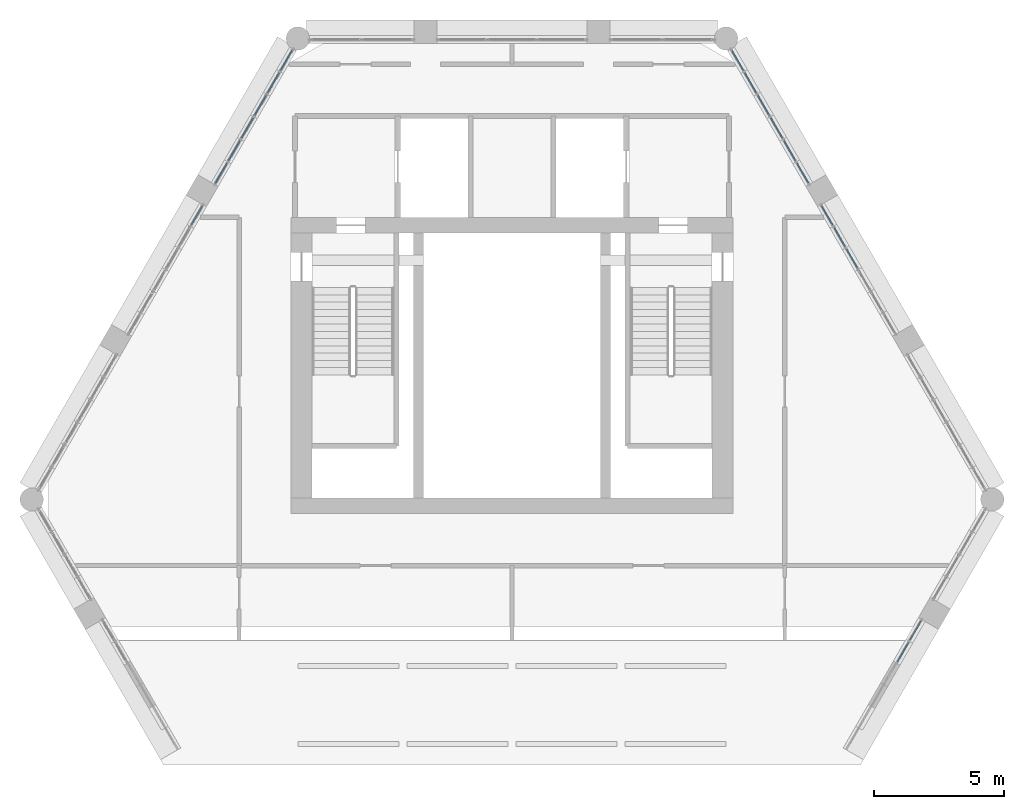
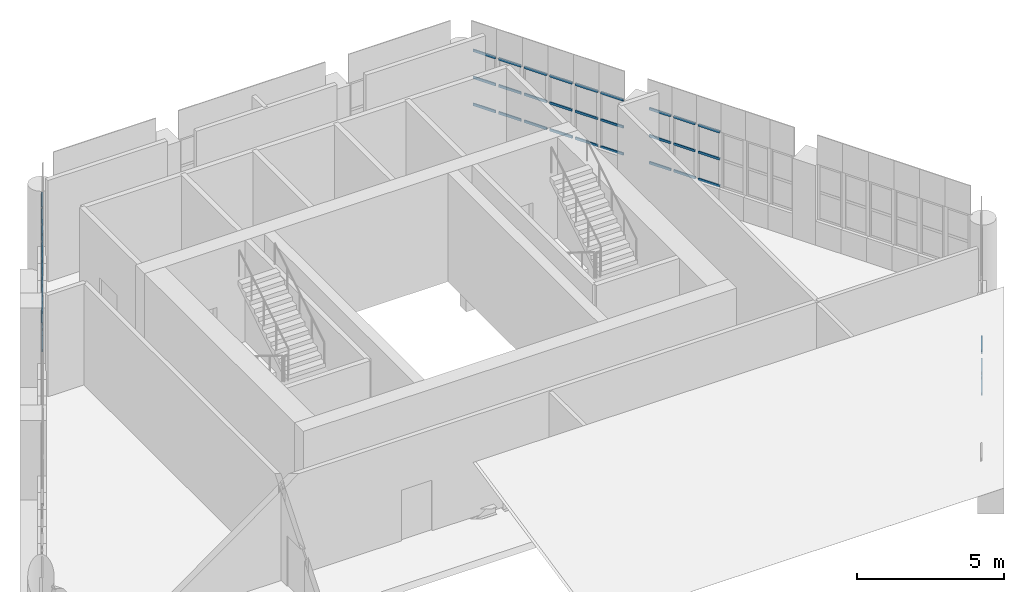
# One storey, part 14 of 23: 52 members, 18 elements without a shape of their own.
"""IFC4 building model written with IfcOpenShell, lengths in metres."""

from ifc_helpers import new_model, si_unit, direction, frame, origin, origin_2d, place, context, subcontext, project, spatial, hollow_rectangle, extrude, material, material_profile, profile_set, type_object, element, aggregate, save


model = new_model("IFC4")

# Units and contexts
model_context = context("Model", 3, precision=1e-05, world=origin(), true_north=direction((0.0, 1.0)))
body_context = subcontext(model_context, "Body", "Model", "MODEL_VIEW")
ifc_project = project(units=[si_unit("LENGTHUNIT", "METRE"), si_unit("AREAUNIT", "SQUARE_METRE"), si_unit("VOLUMEUNIT", "CUBIC_METRE"), si_unit("PLANEANGLEUNIT", "RADIAN"), si_unit("MASSUNIT", "GRAM", prefix="KILO")], contexts=[model_context])

# Site, building, storey
site_placement = place(None, origin())
site = spatial("IfcSite", under=ifc_project, at=site_placement, CompositionType="ELEMENT")
building_placement = place(site_placement, origin())
building = spatial("IfcBuilding", under=site, at=building_placement, Name="Ostrander Bayou Hotel Tower", CompositionType="ELEMENT")
storey_placement = place(building_placement, frame((0.0, 0.0, 279.5)))
storey = spatial("IfcBuildingStorey", under=building, at=storey_placement, Name="L69", CompositionType="ELEMENT", Elevation=279.5)

# Curtain wall, members
ifc_material_1 = material(Name="Aluminium and clear glass", Category="aluminium")
curtain_wall_type = type_object("IfcCurtainWallType", Name="CW-CROWN glazed wall", PredefinedType="NOTDEFINED", material=ifc_material_1)
curtain_wall_1_placement = place(storey_placement, origin())
curtain_wall_1 = element("IfcCurtainWall", 1, at=curtain_wall_1_placement, inside=storey, type_object=curtain_wall_type, Name="CW-CROWN L69:NW-1-1", PredefinedType="NOTDEFINED")
ifc_material_2 = material(Name="Aluminium", Category="aluminium")
ifc_material_profile = material_profile(ifc_material_2, hollow_rectangle(XDim=0.050048828125, YDim=0.10009765625, WallThickness=0.00390625, at=origin_2d()))
ifc_profile_set = profile_set([ifc_material_profile], Name="Aluminium")
member_type = type_object("IfcMemberType", Name="CW-CR transom 50 x 100 mm", PredefinedType="USERDEFINED", material=ifc_profile_set)
member_1_placement = place(storey_placement, frame((-8.4619140625, 16.13037109375, 1.030029296875), z_axis=(-0.500033502416, -0.866006060292, 0.0), x_axis=(0.866006060292, -0.500033502416, 0.0)))
member_1 = element("IfcMember", 2, at=member_1_placement, type_object=member_type, Name="CW-CROWN transom 1.1", ObjectType="TRANSOM", PredefinedType="USERDEFINED", context=body_context, shape_type="SweptSolid", body=[
    extrude(hollow_rectangle(XDim=0.050048828125, YDim=0.10009765625, WallThickness=0.00390625, at=origin_2d()), origin(), (0.0, 0.0, 1.0), 0.88330078125),
])
member_2_placement = place(storey_placement, frame((-8.4619140625, 16.13037109375, 2.14990234375), z_axis=(-0.500033502416, -0.866006060292, 0.0), x_axis=(0.866006060292, -0.500033502416, 0.0)))
member_2 = element("IfcMember", 3, at=member_2_placement, type_object=member_type, Name="CW-CROWN transom 1.2", ObjectType="TRANSOM", PredefinedType="USERDEFINED", context=body_context, shape_type="SweptSolid", body=[
    extrude(hollow_rectangle(XDim=0.050048828125, YDim=0.10009765625, WallThickness=0.00390625, at=origin_2d()), origin(), (0.0, 0.0, 1.0), 0.88330078125),
])
member_3_placement = place(storey_placement, frame((-8.4619140625, 16.13037109375, 3.27001953125), z_axis=(-0.500033502416, -0.866006060292, 0.0), x_axis=(0.866006060292, -0.500033502416, 0.0)))
member_3 = element("IfcMember", 4, at=member_3_placement, type_object=member_type, Name="CW-CROWN transom 1.3", ObjectType="TRANSOM", PredefinedType="USERDEFINED", context=body_context, shape_type="SweptSolid", body=[
    extrude(hollow_rectangle(XDim=0.050048828125, YDim=0.10009765625, WallThickness=0.00390625, at=origin_2d()), origin(), (0.0, 0.0, 1.0), 0.88330078125),
])
aggregate(curtain_wall_1, [member_1, member_2, member_3])

curtain_wall_2_placement = place(storey_placement, origin())
curtain_wall_2 = element("IfcCurtainWall", 5, at=curtain_wall_2_placement, inside=storey, type_object=curtain_wall_type, Name="CW-CROWN L69:NW-1-2", PredefinedType="NOTDEFINED")
member_4_placement = place(storey_placement, frame((-8.963623046875, 15.26171875, 1.030029296875), z_axis=(-0.500033502416, -0.866006060292, 0.0), x_axis=(0.866006060292, -0.500033502416, 0.0)))
member_4 = element("IfcMember", 6, at=member_4_placement, type_object=member_type, Name="CW-CROWN transom 1.1", ObjectType="TRANSOM", PredefinedType="USERDEFINED", context=body_context, shape_type="SweptSolid", body=[
    extrude(hollow_rectangle(XDim=0.050048828125, YDim=0.10009765625, WallThickness=0.00390625, at=origin_2d()), origin(), (0.0, 0.0, 1.0), 0.88330078125),
])
member_5_placement = place(storey_placement, frame((-8.963623046875, 15.26171875, 2.14990234375), z_axis=(-0.500033502416, -0.866006060292, 0.0), x_axis=(0.866006060292, -0.500033502416, 0.0)))
member_5 = element("IfcMember", 7, at=member_5_placement, type_object=member_type, Name="CW-CROWN transom 1.2", ObjectType="TRANSOM", PredefinedType="USERDEFINED", context=body_context, shape_type="SweptSolid", body=[
    extrude(hollow_rectangle(XDim=0.050048828125, YDim=0.10009765625, WallThickness=0.00390625, at=origin_2d()), origin(), (0.0, 0.0, 1.0), 0.88330078125),
])
member_6_placement = place(storey_placement, frame((-8.963623046875, 15.26171875, 3.27001953125), z_axis=(-0.500033502416, -0.866006060292, 0.0), x_axis=(0.866006060292, -0.500033502416, 0.0)))
member_6 = element("IfcMember", 8, at=member_6_placement, type_object=member_type, Name="CW-CROWN transom 1.3", ObjectType="TRANSOM", PredefinedType="USERDEFINED", context=body_context, shape_type="SweptSolid", body=[
    extrude(hollow_rectangle(XDim=0.050048828125, YDim=0.10009765625, WallThickness=0.00390625, at=origin_2d()), origin(), (0.0, 0.0, 1.0), 0.88330078125),
])
aggregate(curtain_wall_2, [member_4, member_5, member_6])

curtain_wall_3_placement = place(storey_placement, origin())
curtain_wall_3 = element("IfcCurtainWall", 9, at=curtain_wall_3_placement, inside=storey, type_object=curtain_wall_type, Name="CW-CROWN L69:NW-1-3", PredefinedType="NOTDEFINED")
member_7_placement = place(storey_placement, frame((-9.465087890625, 14.392822265625, 1.030029296875), z_axis=(-0.500153222552, -0.865936922628, 0.0), x_axis=(0.865936922628, -0.500153222552, 0.0)))
member_7 = element("IfcMember", 10, at=member_7_placement, type_object=member_type, Name="CW-CROWN transom 1.1", ObjectType="TRANSOM", PredefinedType="USERDEFINED", context=body_context, shape_type="SweptSolid", body=[
    extrude(hollow_rectangle(XDim=0.050048828125, YDim=0.10009765625, WallThickness=0.00390625, at=origin_2d()), origin(), (0.0, 0.0, 1.0), 0.883056640625),
])
member_8_placement = place(storey_placement, frame((-9.465087890625, 14.392822265625, 2.14990234375), z_axis=(-0.500153222552, -0.865936922628, 0.0), x_axis=(0.865936922628, -0.500153222552, 0.0)))
member_8 = element("IfcMember", 11, at=member_8_placement, type_object=member_type, Name="CW-CROWN transom 1.2", ObjectType="TRANSOM", PredefinedType="USERDEFINED", context=body_context, shape_type="SweptSolid", body=[
    extrude(hollow_rectangle(XDim=0.050048828125, YDim=0.10009765625, WallThickness=0.00390625, at=origin_2d()), origin(), (0.0, 0.0, 1.0), 0.883056640625),
])
member_9_placement = place(storey_placement, frame((-9.465087890625, 14.392822265625, 3.27001953125), z_axis=(-0.500153222552, -0.865936922628, 0.0), x_axis=(0.865936922628, -0.500153222552, 0.0)))
member_9 = element("IfcMember", 12, at=member_9_placement, type_object=member_type, Name="CW-CROWN transom 1.3", ObjectType="TRANSOM", PredefinedType="USERDEFINED", context=body_context, shape_type="SweptSolid", body=[
    extrude(hollow_rectangle(XDim=0.050048828125, YDim=0.10009765625, WallThickness=0.00390625, at=origin_2d()), origin(), (0.0, 0.0, 1.0), 0.883056640625),
])
aggregate(curtain_wall_3, [member_7, member_8, member_9])

curtain_wall_4_placement = place(storey_placement, origin())
curtain_wall_4 = element("IfcCurtainWall", 13, at=curtain_wall_4_placement, inside=storey, type_object=curtain_wall_type, Name="CW-CROWN L69:NW-1-4", PredefinedType="NOTDEFINED")
member_10_placement = place(storey_placement, frame((-9.966796875, 13.524169921875, 1.030029296875), z_axis=(-0.499826157957, -0.866125748273, 0.0), x_axis=(0.866125748273, -0.499826157957, 0.0)))
member_10 = element("IfcMember", 14, at=member_10_placement, type_object=member_type, Name="CW-CROWN transom 1.1", ObjectType="TRANSOM", PredefinedType="USERDEFINED", context=body_context, shape_type="SweptSolid", body=[
    extrude(hollow_rectangle(XDim=0.050048828125, YDim=0.10009765625, WallThickness=0.00390625, at=origin_2d()), origin(), (0.0, 0.0, 1.0), 0.883056640625),
])
member_11_placement = place(storey_placement, frame((-9.966796875, 13.524169921875, 2.14990234375), z_axis=(-0.499826157957, -0.866125748273, 0.0), x_axis=(0.866125748273, -0.499826157957, 0.0)))
member_11 = element("IfcMember", 15, at=member_11_placement, type_object=member_type, Name="CW-CROWN transom 1.2", ObjectType="TRANSOM", PredefinedType="USERDEFINED", context=body_context, shape_type="SweptSolid", body=[
    extrude(hollow_rectangle(XDim=0.050048828125, YDim=0.10009765625, WallThickness=0.00390625, at=origin_2d()), origin(), (0.0, 0.0, 1.0), 0.883056640625),
])
member_12_placement = place(storey_placement, frame((-9.966796875, 13.524169921875, 3.27001953125), z_axis=(-0.499826157957, -0.866125748273, 0.0), x_axis=(0.866125748273, -0.499826157957, 0.0)))
member_12 = element("IfcMember", 16, at=member_12_placement, type_object=member_type, Name="CW-CROWN transom 1.3", ObjectType="TRANSOM", PredefinedType="USERDEFINED", context=body_context, shape_type="SweptSolid", body=[
    extrude(hollow_rectangle(XDim=0.050048828125, YDim=0.10009765625, WallThickness=0.00390625, at=origin_2d()), origin(), (0.0, 0.0, 1.0), 0.883056640625),
])
aggregate(curtain_wall_4, [member_10, member_11, member_12])

curtain_wall_5_placement = place(storey_placement, origin())
curtain_wall_5 = element("IfcCurtainWall", 17, at=curtain_wall_5_placement, inside=storey, type_object=curtain_wall_type, Name="CW-CROWN L69:NW-1-5", PredefinedType="NOTDEFINED")
member_13_placement = place(storey_placement, frame((-10.46826171875, 12.6552734375, 1.030029296875), z_axis=(-0.500153222552, -0.865936922628, 0.0), x_axis=(0.865936922628, -0.500153222552, 0.0)))
member_13 = element("IfcMember", 18, at=member_13_placement, type_object=member_type, Name="CW-CROWN transom 1.1", ObjectType="TRANSOM", PredefinedType="USERDEFINED", context=body_context, shape_type="SweptSolid", body=[
    extrude(hollow_rectangle(XDim=0.050048828125, YDim=0.10009765625, WallThickness=0.00390625, at=origin_2d()), origin(), (0.0, 0.0, 1.0), 0.883056640625),
])
member_14_placement = place(storey_placement, frame((-10.46826171875, 12.6552734375, 2.14990234375), z_axis=(-0.500153222552, -0.865936922628, 0.0), x_axis=(0.865936922628, -0.500153222552, 0.0)))
member_14 = element("IfcMember", 19, at=member_14_placement, type_object=member_type, Name="CW-CROWN transom 1.2", ObjectType="TRANSOM", PredefinedType="USERDEFINED", context=body_context, shape_type="SweptSolid", body=[
    extrude(hollow_rectangle(XDim=0.050048828125, YDim=0.10009765625, WallThickness=0.00390625, at=origin_2d()), origin(), (0.0, 0.0, 1.0), 0.883056640625),
])
member_15_placement = place(storey_placement, frame((-10.46826171875, 12.6552734375, 3.27001953125), z_axis=(-0.500153222552, -0.865936922628, 0.0), x_axis=(0.865936922628, -0.500153222552, 0.0)))
member_15 = element("IfcMember", 20, at=member_15_placement, type_object=member_type, Name="CW-CROWN transom 1.3", ObjectType="TRANSOM", PredefinedType="USERDEFINED", context=body_context, shape_type="SweptSolid", body=[
    extrude(hollow_rectangle(XDim=0.050048828125, YDim=0.10009765625, WallThickness=0.00390625, at=origin_2d()), origin(), (0.0, 0.0, 1.0), 0.883056640625),
])
aggregate(curtain_wall_5, [member_13, member_14, member_15])

curtain_wall_6_placement = place(storey_placement, origin())
curtain_wall_6 = element("IfcCurtainWall", 21, at=curtain_wall_6_placement, inside=storey, type_object=curtain_wall_type, Name="CW-CROWN L69:NW-1-6", PredefinedType="NOTDEFINED")
member_16_placement = place(storey_placement, frame((-10.969970703125, 11.78662109375, 1.030029296875), z_axis=(-0.500033502416, -0.866006060292, 0.0), x_axis=(0.866006060292, -0.500033502416, 0.0)))
member_16 = element("IfcMember", 22, at=member_16_placement, type_object=member_type, Name="CW-CROWN transom 1.1", ObjectType="TRANSOM", PredefinedType="USERDEFINED", context=body_context, shape_type="SweptSolid", body=[
    extrude(hollow_rectangle(XDim=0.050048828125, YDim=0.10009765625, WallThickness=0.00390625, at=origin_2d()), origin(), (0.0, 0.0, 1.0), 0.88330078125),
])
member_17_placement = place(storey_placement, frame((-10.969970703125, 11.78662109375, 2.14990234375), z_axis=(-0.500033502416, -0.866006060292, 0.0), x_axis=(0.866006060292, -0.500033502416, 0.0)))
member_17 = element("IfcMember", 23, at=member_17_placement, type_object=member_type, Name="CW-CROWN transom 1.2", ObjectType="TRANSOM", PredefinedType="USERDEFINED", context=body_context, shape_type="SweptSolid", body=[
    extrude(hollow_rectangle(XDim=0.050048828125, YDim=0.10009765625, WallThickness=0.00390625, at=origin_2d()), origin(), (0.0, 0.0, 1.0), 0.88330078125),
])
member_18_placement = place(storey_placement, frame((-10.969970703125, 11.78662109375, 3.27001953125), z_axis=(-0.500033502416, -0.866006060292, 0.0), x_axis=(0.866006060292, -0.500033502416, 0.0)))
member_18 = element("IfcMember", 24, at=member_18_placement, type_object=member_type, Name="CW-CROWN transom 1.3", ObjectType="TRANSOM", PredefinedType="USERDEFINED", context=body_context, shape_type="SweptSolid", body=[
    extrude(hollow_rectangle(XDim=0.050048828125, YDim=0.10009765625, WallThickness=0.00390625, at=origin_2d()), origin(), (0.0, 0.0, 1.0), 0.88330078125),
])
aggregate(curtain_wall_6, [member_16, member_17, member_18])

curtain_wall_7_placement = place(storey_placement, origin())
curtain_wall_7 = element("IfcCurtainWall", 25, at=curtain_wall_7_placement, inside=storey, type_object=curtain_wall_type, Name="CW-CROWN L69:NW-2-1", PredefinedType="NOTDEFINED")
member_19_placement = place(storey_placement, frame((-11.92138671875, 10.138427734375, 2.14990234375), z_axis=(-0.500016035621, -0.866016145416, 0.0), x_axis=(0.866016145416, -0.500016035621, 0.0)))
member_19 = element("IfcMember", 26, at=member_19_placement, type_object=member_type, Name="CW-CROWN transom 1.2", ObjectType="TRANSOM", PredefinedType="USERDEFINED", context=body_context, shape_type="SweptSolid", body=[
    extrude(hollow_rectangle(XDim=0.050048828125, YDim=0.10009765625, WallThickness=0.00390625, at=origin_2d()), origin(), (0.0, 0.0, 1.0), 0.83984375),
])
member_20_placement = place(storey_placement, frame((-11.92138671875, 10.138427734375, 3.27001953125), z_axis=(-0.500016035621, -0.866016145416, 0.0), x_axis=(0.866016145416, -0.500016035621, 0.0)))
member_20 = element("IfcMember", 27, at=member_20_placement, type_object=member_type, Name="CW-CROWN transom 1.3", ObjectType="TRANSOM", PredefinedType="USERDEFINED", context=body_context, shape_type="SweptSolid", body=[
    extrude(hollow_rectangle(XDim=0.050048828125, YDim=0.10009765625, WallThickness=0.00390625, at=origin_2d()), origin(), (0.0, 0.0, 1.0), 0.83984375),
])
aggregate(curtain_wall_7, [member_19, member_20])

curtain_wall_8_placement = place(storey_placement, origin())
curtain_wall_8 = element("IfcCurtainWall", 28, at=curtain_wall_8_placement, inside=storey, type_object=curtain_wall_type, Name="CW-CROWN L69:SE-2-5", PredefinedType="NOTDEFINED")
member_21_placement = place(storey_placement, frame((14.837646484375, -7.400634765625, 1.030029296875), z_axis=(0.499930913282, 0.866065287345, 0.0), x_axis=(-0.866065287345, 0.499930913282, 0.0)))
member_21 = element("IfcMember", 29, at=member_21_placement, type_object=member_type, Name="CW-CROWN transom 1.1", ObjectType="TRANSOM", PredefinedType="USERDEFINED", context=body_context, shape_type="SweptSolid", body=[
    extrude(hollow_rectangle(XDim=0.050048828125, YDim=0.10009765625, WallThickness=0.00390625, at=origin_2d()), origin(), (0.0, 0.0, 1.0), 0.8447265625),
])
member_22_placement = place(storey_placement, frame((14.837646484375, -7.400634765625, 1.89306640625), z_axis=(0.499930913282, 0.866065287345, 0.0), x_axis=(-0.866065287345, 0.499930913282, 0.0)))
member_22 = element("IfcMember", 30, at=member_22_placement, type_object=member_type, Name="CW-CROWN transom 1.2", ObjectType="TRANSOM", PredefinedType="USERDEFINED", context=body_context, shape_type="SweptSolid", body=[
    extrude(hollow_rectangle(XDim=0.050048828125, YDim=0.10009765625, WallThickness=0.00390625, at=origin_2d()), origin(), (0.0, 0.0, 1.0), 0.8447265625),
])
member_23_placement = place(storey_placement, frame((14.837646484375, -7.400634765625, 2.756103515625), z_axis=(0.499930913282, 0.866065287345, 0.0), x_axis=(-0.866065287345, 0.499930913282, 0.0)))
member_23 = element("IfcMember", 31, at=member_23_placement, type_object=member_type, Name="CW-CROWN transom 1.3", ObjectType="TRANSOM", PredefinedType="USERDEFINED", context=body_context, shape_type="SweptSolid", body=[
    extrude(hollow_rectangle(XDim=0.050048828125, YDim=0.10009765625, WallThickness=0.00390625, at=origin_2d()), origin(), (0.0, 0.0, 1.0), 0.8447265625),
])
aggregate(curtain_wall_8, [member_21, member_22, member_23])

curtain_wall_9_placement = place(storey_placement, origin())
curtain_wall_9 = element("IfcCurtainWall", 32, at=curtain_wall_9_placement, inside=storey, type_object=curtain_wall_type, Name="CW-CROWN L69:SE-2-6", PredefinedType="NOTDEFINED")
member_24_placement = place(storey_placement, frame((15.320068359375, -6.56494140625, 1.030029296875), z_axis=(0.499930913282, 0.866065287345, 0.0), x_axis=(-0.866065287345, 0.499930913282, 0.0)))
member_24 = element("IfcMember", 33, at=member_24_placement, type_object=member_type, Name="CW-CROWN transom 1.1", ObjectType="TRANSOM", PredefinedType="USERDEFINED", context=body_context, shape_type="SweptSolid", body=[
    extrude(hollow_rectangle(XDim=0.050048828125, YDim=0.10009765625, WallThickness=0.00390625, at=origin_2d()), origin(), (0.0, 0.0, 1.0), 0.8447265625),
])
member_25_placement = place(storey_placement, frame((15.320068359375, -6.56494140625, 2.14990234375), z_axis=(0.499930913282, 0.866065287345, 0.0), x_axis=(-0.866065287345, 0.499930913282, 0.0)))
member_25 = element("IfcMember", 34, at=member_25_placement, type_object=member_type, Name="CW-CROWN transom 1.2", ObjectType="TRANSOM", PredefinedType="USERDEFINED", context=body_context, shape_type="SweptSolid", body=[
    extrude(hollow_rectangle(XDim=0.050048828125, YDim=0.10009765625, WallThickness=0.00390625, at=origin_2d()), origin(), (0.0, 0.0, 1.0), 0.8447265625),
])
aggregate(curtain_wall_9, [member_24, member_25])

curtain_wall_10_placement = place(storey_placement, origin())
curtain_wall_10 = element("IfcCurtainWall", 35, at=curtain_wall_10_placement, inside=storey, type_object=curtain_wall_type, Name="CW-CROWN L69:NE-2-4", PredefinedType="NOTDEFINED")
member_26_placement = place(storey_placement, frame((13.30126953125, 7.748779296875, 1.030029296875), z_axis=(-0.500016035621, 0.866016145416, 0.0), x_axis=(-0.866016145416, -0.500016035621, 0.0)))
member_26 = element("IfcMember", 36, at=member_26_placement, type_object=member_type, Name="CW-CROWN transom 1.1", ObjectType="TRANSOM", PredefinedType="USERDEFINED", context=body_context, shape_type="SweptSolid", body=[
    extrude(hollow_rectangle(XDim=0.050048828125, YDim=0.10009765625, WallThickness=0.00390625, at=origin_2d()), origin(), (0.0, 0.0, 1.0), 0.83984375),
])
member_27_placement = place(storey_placement, frame((13.30126953125, 7.748779296875, 2.14990234375), z_axis=(-0.500016035621, 0.866016145416, 0.0), x_axis=(-0.866016145416, -0.500016035621, 0.0)))
member_27 = element("IfcMember", 37, at=member_27_placement, type_object=member_type, Name="CW-CROWN transom 1.2", ObjectType="TRANSOM", PredefinedType="USERDEFINED", context=body_context, shape_type="SweptSolid", body=[
    extrude(hollow_rectangle(XDim=0.050048828125, YDim=0.10009765625, WallThickness=0.00390625, at=origin_2d()), origin(), (0.0, 0.0, 1.0), 0.83984375),
])
member_28_placement = place(storey_placement, frame((13.30126953125, 7.748779296875, 3.27001953125), z_axis=(-0.500016035621, 0.866016145416, 0.0), x_axis=(-0.866016145416, -0.500016035621, 0.0)))
member_28 = element("IfcMember", 38, at=member_28_placement, type_object=member_type, Name="CW-CROWN transom 1.3", ObjectType="TRANSOM", PredefinedType="USERDEFINED", context=body_context, shape_type="SweptSolid", body=[
    extrude(hollow_rectangle(XDim=0.050048828125, YDim=0.10009765625, WallThickness=0.00390625, at=origin_2d()), origin(), (0.0, 0.0, 1.0), 0.83984375),
])
aggregate(curtain_wall_10, [member_26, member_27, member_28])

curtain_wall_11_placement = place(storey_placement, origin())
curtain_wall_11 = element("IfcCurtainWall", 39, at=curtain_wall_11_placement, inside=storey, type_object=curtain_wall_type, Name="CW-CROWN L69:NE-2-5", PredefinedType="NOTDEFINED")
member_29_placement = place(storey_placement, frame((12.8212890625, 8.580078125, 1.030029296875), z_axis=(-0.500141944548, 0.86594343655, 0.0), x_axis=(-0.86594343655, -0.500141944548, 0.0)))
member_29 = element("IfcMember", 40, at=member_29_placement, type_object=member_type, Name="CW-CROWN transom 1.1", ObjectType="TRANSOM", PredefinedType="USERDEFINED", context=body_context, shape_type="SweptSolid", body=[
    extrude(hollow_rectangle(XDim=0.050048828125, YDim=0.10009765625, WallThickness=0.00390625, at=origin_2d()), origin(), (0.0, 0.0, 1.0), 0.839599609375),
])
member_30_placement = place(storey_placement, frame((12.8212890625, 8.580078125, 2.14990234375), z_axis=(-0.500141944548, 0.86594343655, 0.0), x_axis=(-0.86594343655, -0.500141944548, 0.0)))
member_30 = element("IfcMember", 41, at=member_30_placement, type_object=member_type, Name="CW-CROWN transom 1.2", ObjectType="TRANSOM", PredefinedType="USERDEFINED", context=body_context, shape_type="SweptSolid", body=[
    extrude(hollow_rectangle(XDim=0.050048828125, YDim=0.10009765625, WallThickness=0.00390625, at=origin_2d()), origin(), (0.0, 0.0, 1.0), 0.839599609375),
])
member_31_placement = place(storey_placement, frame((12.8212890625, 8.580078125, 3.27001953125), z_axis=(-0.500141944548, 0.86594343655, 0.0), x_axis=(-0.86594343655, -0.500141944548, 0.0)))
member_31 = element("IfcMember", 42, at=member_31_placement, type_object=member_type, Name="CW-CROWN transom 1.3", ObjectType="TRANSOM", PredefinedType="USERDEFINED", context=body_context, shape_type="SweptSolid", body=[
    extrude(hollow_rectangle(XDim=0.050048828125, YDim=0.10009765625, WallThickness=0.00390625, at=origin_2d()), origin(), (0.0, 0.0, 1.0), 0.839599609375),
])
aggregate(curtain_wall_11, [member_29, member_30, member_31])

curtain_wall_12_placement = place(storey_placement, origin())
curtain_wall_12 = element("IfcCurtainWall", 43, at=curtain_wall_12_placement, inside=storey, type_object=curtain_wall_type, Name="CW-CROWN L69:NE-2-6", PredefinedType="NOTDEFINED")
member_32_placement = place(storey_placement, frame((12.34130859375, 9.4111328125, 1.030029296875), z_axis=(-0.500016035621, 0.866016145416, 0.0), x_axis=(-0.866016145416, -0.500016035621, 0.0)))
member_32 = element("IfcMember", 44, at=member_32_placement, type_object=member_type, Name="CW-CROWN transom 1.1", ObjectType="TRANSOM", PredefinedType="USERDEFINED", context=body_context, shape_type="SweptSolid", body=[
    extrude(hollow_rectangle(XDim=0.050048828125, YDim=0.10009765625, WallThickness=0.00390625, at=origin_2d()), origin(), (0.0, 0.0, 1.0), 0.83984375),
])
member_33_placement = place(storey_placement, frame((12.34130859375, 9.4111328125, 2.14990234375), z_axis=(-0.500016035621, 0.866016145416, 0.0), x_axis=(-0.866016145416, -0.500016035621, 0.0)))
member_33 = element("IfcMember", 45, at=member_33_placement, type_object=member_type, Name="CW-CROWN transom 1.2", ObjectType="TRANSOM", PredefinedType="USERDEFINED", context=body_context, shape_type="SweptSolid", body=[
    extrude(hollow_rectangle(XDim=0.050048828125, YDim=0.10009765625, WallThickness=0.00390625, at=origin_2d()), origin(), (0.0, 0.0, 1.0), 0.83984375),
])
member_34_placement = place(storey_placement, frame((12.34130859375, 9.4111328125, 3.27001953125), z_axis=(-0.500016035621, 0.866016145416, 0.0), x_axis=(-0.866016145416, -0.500016035621, 0.0)))
member_34 = element("IfcMember", 46, at=member_34_placement, type_object=member_type, Name="CW-CROWN transom 1.3", ObjectType="TRANSOM", PredefinedType="USERDEFINED", context=body_context, shape_type="SweptSolid", body=[
    extrude(hollow_rectangle(XDim=0.050048828125, YDim=0.10009765625, WallThickness=0.00390625, at=origin_2d()), origin(), (0.0, 0.0, 1.0), 0.83984375),
])
aggregate(curtain_wall_12, [member_32, member_33, member_34])

curtain_wall_13_placement = place(storey_placement, origin())
curtain_wall_13 = element("IfcCurtainWall", 47, at=curtain_wall_13_placement, inside=storey, type_object=curtain_wall_type, Name="CW-CROWN L69:NE-3-1", PredefinedType="NOTDEFINED")
member_35_placement = place(storey_placement, frame((11.41162109375, 11.021728515625, 1.030029296875), z_axis=(-0.500033502416, 0.866006060292, 0.0), x_axis=(-0.866006060292, -0.500033502416, 0.0)))
member_35 = element("IfcMember", 48, at=member_35_placement, type_object=member_type, Name="CW-CROWN transom 1.1", ObjectType="TRANSOM", PredefinedType="USERDEFINED", context=body_context, shape_type="SweptSolid", body=[
    extrude(hollow_rectangle(XDim=0.050048828125, YDim=0.10009765625, WallThickness=0.00390625, at=origin_2d()), origin(), (0.0, 0.0, 1.0), 0.88330078125),
])
member_36_placement = place(storey_placement, frame((11.41162109375, 11.021728515625, 2.14990234375), z_axis=(-0.500033502416, 0.866006060292, 0.0), x_axis=(-0.866006060292, -0.500033502416, 0.0)))
member_36 = element("IfcMember", 49, at=member_36_placement, type_object=member_type, Name="CW-CROWN transom 1.2", ObjectType="TRANSOM", PredefinedType="USERDEFINED", context=body_context, shape_type="SweptSolid", body=[
    extrude(hollow_rectangle(XDim=0.050048828125, YDim=0.10009765625, WallThickness=0.00390625, at=origin_2d()), origin(), (0.0, 0.0, 1.0), 0.88330078125),
])
member_37_placement = place(storey_placement, frame((11.41162109375, 11.021728515625, 3.27001953125), z_axis=(-0.500033502416, 0.866006060292, 0.0), x_axis=(-0.866006060292, -0.500033502416, 0.0)))
member_37 = element("IfcMember", 50, at=member_37_placement, type_object=member_type, Name="CW-CROWN transom 1.3", ObjectType="TRANSOM", PredefinedType="USERDEFINED", context=body_context, shape_type="SweptSolid", body=[
    extrude(hollow_rectangle(XDim=0.050048828125, YDim=0.10009765625, WallThickness=0.00390625, at=origin_2d()), origin(), (0.0, 0.0, 1.0), 0.88330078125),
])
aggregate(curtain_wall_13, [member_35, member_36, member_37])

curtain_wall_14_placement = place(storey_placement, origin())
curtain_wall_14 = element("IfcCurtainWall", 51, at=curtain_wall_14_placement, inside=storey, type_object=curtain_wall_type, Name="CW-CROWN L69:NE-3-2", PredefinedType="NOTDEFINED")
member_38_placement = place(storey_placement, frame((10.909912109375, 11.890625, 1.030029296875), z_axis=(-0.500153222552, 0.865936922628, 0.0), x_axis=(-0.865936922628, -0.500153222552, 0.0)))
member_38 = element("IfcMember", 52, at=member_38_placement, type_object=member_type, Name="CW-CROWN transom 1.1", ObjectType="TRANSOM", PredefinedType="USERDEFINED", context=body_context, shape_type="SweptSolid", body=[
    extrude(hollow_rectangle(XDim=0.050048828125, YDim=0.10009765625, WallThickness=0.00390625, at=origin_2d()), origin(), (0.0, 0.0, 1.0), 0.883056640625),
])
member_39_placement = place(storey_placement, frame((10.909912109375, 11.890625, 2.14990234375), z_axis=(-0.500153222552, 0.865936922628, 0.0), x_axis=(-0.865936922628, -0.500153222552, 0.0)))
member_39 = element("IfcMember", 53, at=member_39_placement, type_object=member_type, Name="CW-CROWN transom 1.2", ObjectType="TRANSOM", PredefinedType="USERDEFINED", context=body_context, shape_type="SweptSolid", body=[
    extrude(hollow_rectangle(XDim=0.050048828125, YDim=0.10009765625, WallThickness=0.00390625, at=origin_2d()), origin(), (0.0, 0.0, 1.0), 0.883056640625),
])
member_40_placement = place(storey_placement, frame((10.909912109375, 11.890625, 3.27001953125), z_axis=(-0.500153222552, 0.865936922628, 0.0), x_axis=(-0.865936922628, -0.500153222552, 0.0)))
member_40 = element("IfcMember", 54, at=member_40_placement, type_object=member_type, Name="CW-CROWN transom 1.3", ObjectType="TRANSOM", PredefinedType="USERDEFINED", context=body_context, shape_type="SweptSolid", body=[
    extrude(hollow_rectangle(XDim=0.050048828125, YDim=0.10009765625, WallThickness=0.00390625, at=origin_2d()), origin(), (0.0, 0.0, 1.0), 0.883056640625),
])
aggregate(curtain_wall_14, [member_38, member_39, member_40])

curtain_wall_15_placement = place(storey_placement, origin())
curtain_wall_15 = element("IfcCurtainWall", 55, at=curtain_wall_15_placement, inside=storey, type_object=curtain_wall_type, Name="CW-CROWN L69:NE-3-3", PredefinedType="NOTDEFINED")
member_41_placement = place(storey_placement, frame((10.408203125, 12.75927734375, 1.030029296875), z_axis=(-0.499826157957, 0.866125748273, 0.0), x_axis=(-0.866125748273, -0.499826157957, 0.0)))
member_41 = element("IfcMember", 56, at=member_41_placement, type_object=member_type, Name="CW-CROWN transom 1.1", ObjectType="TRANSOM", PredefinedType="USERDEFINED", context=body_context, shape_type="SweptSolid", body=[
    extrude(hollow_rectangle(XDim=0.050048828125, YDim=0.10009765625, WallThickness=0.00390625, at=origin_2d()), origin(), (0.0, 0.0, 1.0), 0.883056640625),
])
member_42_placement = place(storey_placement, frame((10.408203125, 12.75927734375, 2.14990234375), z_axis=(-0.499826157957, 0.866125748273, 0.0), x_axis=(-0.866125748273, -0.499826157957, 0.0)))
member_42 = element("IfcMember", 57, at=member_42_placement, type_object=member_type, Name="CW-CROWN transom 1.2", ObjectType="TRANSOM", PredefinedType="USERDEFINED", context=body_context, shape_type="SweptSolid", body=[
    extrude(hollow_rectangle(XDim=0.050048828125, YDim=0.10009765625, WallThickness=0.00390625, at=origin_2d()), origin(), (0.0, 0.0, 1.0), 0.883056640625),
])
member_43_placement = place(storey_placement, frame((10.408203125, 12.75927734375, 3.27001953125), z_axis=(-0.499826157957, 0.866125748273, 0.0), x_axis=(-0.866125748273, -0.499826157957, 0.0)))
member_43 = element("IfcMember", 58, at=member_43_placement, type_object=member_type, Name="CW-CROWN transom 1.3", ObjectType="TRANSOM", PredefinedType="USERDEFINED", context=body_context, shape_type="SweptSolid", body=[
    extrude(hollow_rectangle(XDim=0.050048828125, YDim=0.10009765625, WallThickness=0.00390625, at=origin_2d()), origin(), (0.0, 0.0, 1.0), 0.883056640625),
])
aggregate(curtain_wall_15, [member_41, member_42, member_43])

curtain_wall_16_placement = place(storey_placement, origin())
curtain_wall_16 = element("IfcCurtainWall", 59, at=curtain_wall_16_placement, inside=storey, type_object=curtain_wall_type, Name="CW-CROWN L69:NE-3-4", PredefinedType="NOTDEFINED")
member_44_placement = place(storey_placement, frame((9.90673828125, 13.628173828125, 1.030029296875), z_axis=(-0.500153222552, 0.865936922628, 0.0), x_axis=(-0.865936922628, -0.500153222552, 0.0)))
member_44 = element("IfcMember", 60, at=member_44_placement, type_object=member_type, Name="CW-CROWN transom 1.1", ObjectType="TRANSOM", PredefinedType="USERDEFINED", context=body_context, shape_type="SweptSolid", body=[
    extrude(hollow_rectangle(XDim=0.050048828125, YDim=0.10009765625, WallThickness=0.00390625, at=origin_2d()), origin(), (0.0, 0.0, 1.0), 0.883056640625),
])
member_45_placement = place(storey_placement, frame((9.90673828125, 13.628173828125, 2.14990234375), z_axis=(-0.500153222552, 0.865936922628, 0.0), x_axis=(-0.865936922628, -0.500153222552, 0.0)))
member_45 = element("IfcMember", 61, at=member_45_placement, type_object=member_type, Name="CW-CROWN transom 1.2", ObjectType="TRANSOM", PredefinedType="USERDEFINED", context=body_context, shape_type="SweptSolid", body=[
    extrude(hollow_rectangle(XDim=0.050048828125, YDim=0.10009765625, WallThickness=0.00390625, at=origin_2d()), origin(), (0.0, 0.0, 1.0), 0.883056640625),
])
member_46_placement = place(storey_placement, frame((9.90673828125, 13.628173828125, 3.27001953125), z_axis=(-0.500153222552, 0.865936922628, 0.0), x_axis=(-0.865936922628, -0.500153222552, 0.0)))
member_46 = element("IfcMember", 62, at=member_46_placement, type_object=member_type, Name="CW-CROWN transom 1.3", ObjectType="TRANSOM", PredefinedType="USERDEFINED", context=body_context, shape_type="SweptSolid", body=[
    extrude(hollow_rectangle(XDim=0.050048828125, YDim=0.10009765625, WallThickness=0.00390625, at=origin_2d()), origin(), (0.0, 0.0, 1.0), 0.883056640625),
])
aggregate(curtain_wall_16, [member_44, member_45, member_46])

curtain_wall_17_placement = place(storey_placement, origin())
curtain_wall_17 = element("IfcCurtainWall", 63, at=curtain_wall_17_placement, inside=storey, type_object=curtain_wall_type, Name="CW-CROWN L69:NE-3-5", PredefinedType="NOTDEFINED")
member_47_placement = place(storey_placement, frame((9.4052734375, 14.496826171875, 1.030029296875), z_axis=(-0.500033502416, 0.866006060292, 0.0), x_axis=(-0.866006060292, -0.500033502416, 0.0)))
member_47 = element("IfcMember", 64, at=member_47_placement, type_object=member_type, Name="CW-CROWN transom 1.1", ObjectType="TRANSOM", PredefinedType="USERDEFINED", context=body_context, shape_type="SweptSolid", body=[
    extrude(hollow_rectangle(XDim=0.050048828125, YDim=0.10009765625, WallThickness=0.00390625, at=origin_2d()), origin(), (0.0, 0.0, 1.0), 0.88330078125),
])
member_48_placement = place(storey_placement, frame((9.4052734375, 14.496826171875, 2.14990234375), z_axis=(-0.500033502416, 0.866006060292, 0.0), x_axis=(-0.866006060292, -0.500033502416, 0.0)))
member_48 = element("IfcMember", 65, at=member_48_placement, type_object=member_type, Name="CW-CROWN transom 1.2", ObjectType="TRANSOM", PredefinedType="USERDEFINED", context=body_context, shape_type="SweptSolid", body=[
    extrude(hollow_rectangle(XDim=0.050048828125, YDim=0.10009765625, WallThickness=0.00390625, at=origin_2d()), origin(), (0.0, 0.0, 1.0), 0.88330078125),
])
member_49_placement = place(storey_placement, frame((9.4052734375, 14.496826171875, 3.27001953125), z_axis=(-0.500033502416, 0.866006060292, 0.0), x_axis=(-0.866006060292, -0.500033502416, 0.0)))
member_49 = element("IfcMember", 66, at=member_49_placement, type_object=member_type, Name="CW-CROWN transom 1.3", ObjectType="TRANSOM", PredefinedType="USERDEFINED", context=body_context, shape_type="SweptSolid", body=[
    extrude(hollow_rectangle(XDim=0.050048828125, YDim=0.10009765625, WallThickness=0.00390625, at=origin_2d()), origin(), (0.0, 0.0, 1.0), 0.88330078125),
])
aggregate(curtain_wall_17, [member_47, member_48, member_49])

curtain_wall_18_placement = place(storey_placement, origin())
curtain_wall_18 = element("IfcCurtainWall", 67, at=curtain_wall_18_placement, inside=storey, type_object=curtain_wall_type, Name="CW-CROWN L69:NE-3-6", PredefinedType="NOTDEFINED")
member_50_placement = place(storey_placement, frame((8.903564453125, 15.365478515625, 1.030029296875), z_axis=(-0.500033502416, 0.866006060292, 0.0), x_axis=(-0.866006060292, -0.500033502416, 0.0)))
member_50 = element("IfcMember", 68, at=member_50_placement, type_object=member_type, Name="CW-CROWN transom 1.1", ObjectType="TRANSOM", PredefinedType="USERDEFINED", context=body_context, shape_type="SweptSolid", body=[
    extrude(hollow_rectangle(XDim=0.050048828125, YDim=0.10009765625, WallThickness=0.00390625, at=origin_2d()), origin(), (0.0, 0.0, 1.0), 0.88330078125),
])
member_51_placement = place(storey_placement, frame((8.903564453125, 15.365478515625, 2.14990234375), z_axis=(-0.500033502416, 0.866006060292, 0.0), x_axis=(-0.866006060292, -0.500033502416, 0.0)))
member_51 = element("IfcMember", 69, at=member_51_placement, type_object=member_type, Name="CW-CROWN transom 1.2", ObjectType="TRANSOM", PredefinedType="USERDEFINED", context=body_context, shape_type="SweptSolid", body=[
    extrude(hollow_rectangle(XDim=0.050048828125, YDim=0.10009765625, WallThickness=0.00390625, at=origin_2d()), origin(), (0.0, 0.0, 1.0), 0.88330078125),
])
member_52_placement = place(storey_placement, frame((8.903564453125, 15.365478515625, 3.27001953125), z_axis=(-0.500033502416, 0.866006060292, 0.0), x_axis=(-0.866006060292, -0.500033502416, 0.0)))
member_52 = element("IfcMember", 70, at=member_52_placement, type_object=member_type, Name="CW-CROWN transom 1.3", ObjectType="TRANSOM", PredefinedType="USERDEFINED", context=body_context, shape_type="SweptSolid", body=[
    extrude(hollow_rectangle(XDim=0.050048828125, YDim=0.10009765625, WallThickness=0.00390625, at=origin_2d()), origin(), (0.0, 0.0, 1.0), 0.88330078125),
])
aggregate(curtain_wall_18, [member_50, member_51, member_52])

save(model, "model.ifc")
